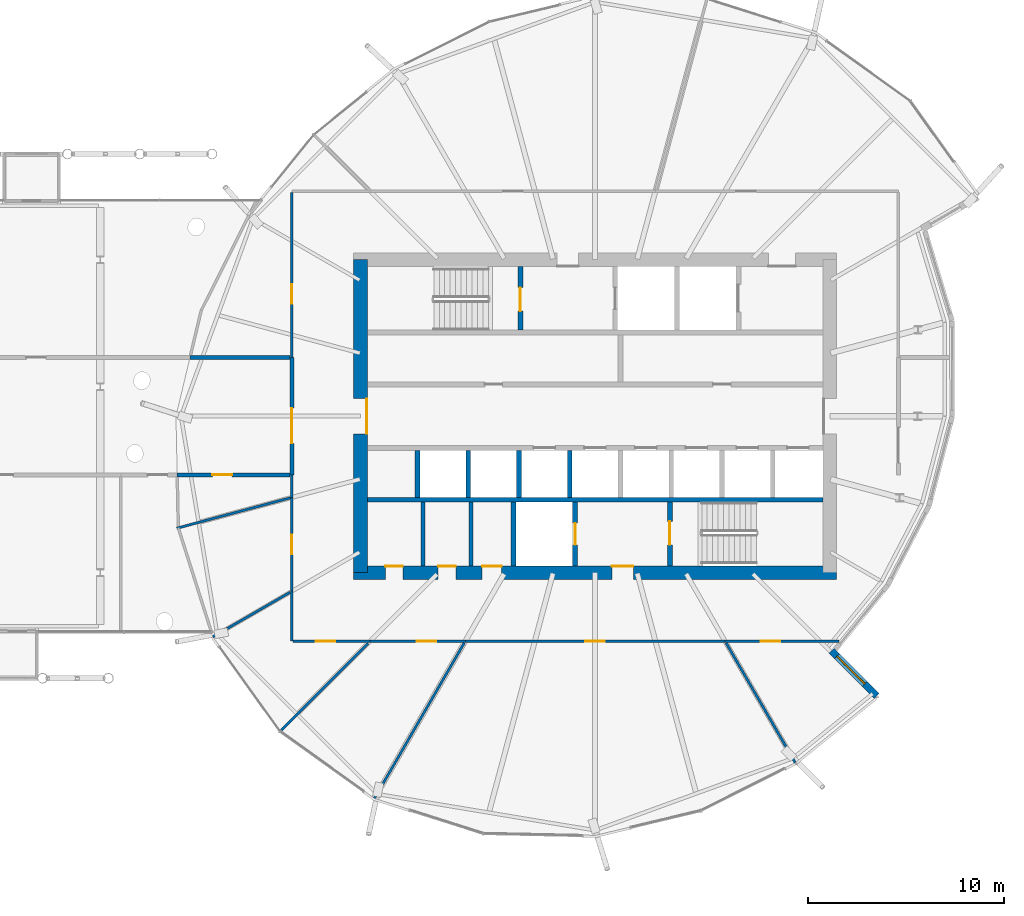
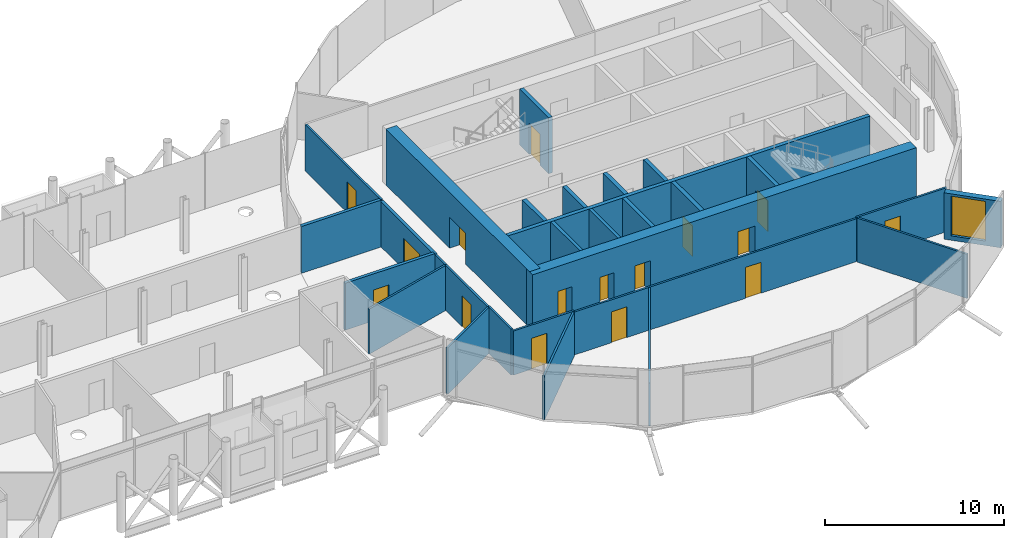
# One storey, part 27 of 40: 30 walls, 16 doors, 1 window, 17 openings.
"""IFC4 building model written with IfcOpenShell, lengths in metres."""

import ifcopenshell
import ifcopenshell.guid

model = None  # the IFC model being written
_history = None  # IfcOwnerHistory: only IFC2X3 demands one
_inside = {}  # id of a spatial element -> (the spatial element, [elements in it])
_under = {}  # id of a project, library or spatial element -> (it, [spatial elements below it])
_declared = {}  # id of a project -> (the project, [libraries it declares])
_typed = {}  # id of a type object -> (the type object, [elements of that type])
_made_of = {}  # id of a material, layer set ... -> (it, [elements and type objects made of it])


def new_model(schema):
    """Start an empty IFC model of exactly this schema.

    Asked for "IFC4X3", IfcOpenShell would pick the latest addendum, in which some entities
    have other attributes; the version numbers below select the first issue.
    IFC2X3 requires an IfcOwnerHistory on every rooted entity: one is made here for all.
    """
    global model, _history
    if schema == "IFC4X3":
        model = ifcopenshell.file(schema_version=(4, 3, 0, 0))
    else:
        model = ifcopenshell.file(schema=schema)
    _inside.clear()
    _under.clear()
    _declared.clear()
    _typed.clear()
    _made_of.clear()
    _history = None
    if model.schema == "IFC2X3":
        org = make("IfcOrganization", Name="unknown")
        user = make(
            "IfcPersonAndOrganization",
            ThePerson=make("IfcPerson", FamilyName="unknown"),
            TheOrganization=org,
        )
        app = make(
            "IfcApplication",
            ApplicationDeveloper=org,
            Version="unknown",
            ApplicationFullName="unknown",
            ApplicationIdentifier="unknown",
        )
        _history = make(
            "IfcOwnerHistory",
            OwningUser=user,
            OwningApplication=app,
            ChangeAction="ADDED",
            CreationDate=0,
        )
    return model


def make(cls, **values):
    """One entity of the class cls with the attributes given. An attribute that is None is left unset."""
    return model.create_entity(
        cls, **{name: value for name, value in values.items() if value is not None}
    )


def rooted(cls, **values):
    """An entity with a GlobalId (a new one), such as an element, a storey or a relation."""
    return make(cls, GlobalId=ifcopenshell.guid.new(), OwnerHistory=_history, **values)


def si_unit(unit_type, name, prefix=None):
    """IfcSIUnit, for example si_unit("LENGTHUNIT", "METRE", prefix="MILLI")."""
    return make("IfcSIUnit", UnitType=unit_type, Prefix=prefix, Name=name)


def assignment(units):
    """IfcUnitAssignment: the units of a project."""
    return None if units is None else make("IfcUnitAssignment", Units=units)


def point(xyz):
    """IfcCartesianPoint."""
    return None if xyz is None else make("IfcCartesianPoint", Coordinates=xyz)


def direction(xyz):
    """IfcDirection."""
    return None if xyz is None else make("IfcDirection", DirectionRatios=xyz)


def frame(location, z_axis=None, x_axis=None):
    """IfcAxis2Placement3D, a coordinate frame: its origin and axes. An axis left out is left unset."""
    return make(
        "IfcAxis2Placement3D",
        Location=point(location),
        Axis=direction(z_axis),
        RefDirection=direction(x_axis),
    )


def frame_2d(location, x_axis=None):
    """IfcAxis2Placement2D, a coordinate frame in the plane: its origin and x axis."""
    return make(
        "IfcAxis2Placement2D", Location=point(location), RefDirection=direction(x_axis)
    )


def origin():
    """The frame at (0, 0, 0) with its axes left unset."""
    return frame((0.0, 0.0, 0.0))


def place(relative_to, where):
    """IfcLocalPlacement: puts the frame where relative to a parent placement (None: the world)."""
    return make(
        "IfcLocalPlacement", PlacementRelTo=relative_to, RelativePlacement=where
    )


def context(
    kind, dimensions, precision=None, world=None, true_north=None, identifier=None
):
    """IfcGeometricRepresentationContext, for example the 3D "Model" context."""
    return make(
        "IfcGeometricRepresentationContext",
        ContextIdentifier=identifier,
        ContextType=kind,
        CoordinateSpaceDimension=dimensions,
        Precision=precision,
        WorldCoordinateSystem=world,
        TrueNorth=true_north,
    )


def subcontext(parent, identifier, kind, view, scale=None):
    """IfcGeometricRepresentationSubContext, for example "Body" below "Model"."""
    return make(
        "IfcGeometricRepresentationSubContext",
        ContextIdentifier=identifier,
        ContextType=kind,
        ParentContext=parent,
        TargetScale=scale,
        TargetView=view,
    )


def project(units=None, contexts=None):
    """IfcProject with its units and contexts."""
    return rooted(
        "IfcProject",
        Name="project",
        RepresentationContexts=contexts,
        UnitsInContext=assignment(units),
    )


def spatial(cls, under=None, at=None, **own):
    """A site, building, storey or space (cls), placed at a placement, below another one or the project."""
    s = rooted(cls, ObjectPlacement=at, **own)
    if under is not None:
        _under.setdefault(under.id(), (under, []))[1].append(s)
    return s


def profile(cls, at=None, kind="AREA", **sizes):
    """A parametric profile (cls). Its sizes go by their IFC names, for example OverallWidth=200.0."""
    return make(cls, ProfileType=kind, Position=at, **sizes)


def rectangle(**sizes):
    """IfcRectangleProfileDef."""
    return profile("IfcRectangleProfileDef", **sizes)


def extrude(swept, where, along, depth):
    """IfcExtrudedAreaSolid: the profile swept, set in the frame where, extruded along a direction by depth."""
    return make(
        "IfcExtrudedAreaSolid",
        SweptArea=swept,
        Position=where,
        ExtrudedDirection=direction(along),
        Depth=depth,
    )


def shape(context_of_items, identifier, shape_type, items):
    """IfcShapeRepresentation: the items that make up one representation, for example the "Body"."""
    return make(
        "IfcShapeRepresentation",
        ContextOfItems=context_of_items,
        RepresentationIdentifier=identifier,
        RepresentationType=shape_type,
        Items=items,
    )


def material(Name=None, Category=None):
    """IfcMaterial."""
    return make("IfcMaterial", Name=Name, Category=Category)


def layer(
    of_material, thickness, ventilated=None, Name=None, Category=None, Priority=None
):
    """IfcMaterialLayer: one layer of a wall or slab, of a material (None: an air gap)."""
    return make(
        "IfcMaterialLayer",
        Material=of_material,
        LayerThickness=thickness,
        IsVentilated=ventilated,
        Name=Name,
        Category=Category,
        Priority=Priority,
    )


def layer_set(layers, Name=None):
    """IfcMaterialLayerSet."""
    return make("IfcMaterialLayerSet", MaterialLayers=layers, LayerSetName=Name)


def made_of(thing, what):
    """Note that an element or type object is made of a material, layer set ...; save() writes the relation."""
    if what is not None:
        _made_of.setdefault(what.id(), (what, []))[1].append(thing)
    return thing


def type_object(cls, material=None, **own):
    """A type object (cls), such as IfcWallType, which elements share."""
    return made_of(rooted(cls, **own), material)


def element(
    cls,
    number,
    at=None,
    inside=None,
    cuts=None,
    type_object=None,
    material=None,
    context=None,
    identifier="Body",
    shape_type=None,
    held_by="IfcProductDefinitionShape",
    body=None,
    shapes=None,
    **own,
):
    """One element of the class cls, such as IfcWall. Its Tag is "e" and its number.

    at: its placement. inside: the storey or other place that contains it. cuts: it is an
    opening in that element (IfcRelVoidsElement). A single representation is given by context,
    identifier, shape_type and body (its items); several are given by shapes. held_by: the class
    of the entity that holds the representations. save() writes the other relations.
    """
    e = rooted(cls, Tag="e%d" % number, ObjectPlacement=at, **own)
    if body is not None:
        shapes = [shape(context, identifier, shape_type, body)]
    if shapes is not None:
        e.Representation = make(held_by, Representations=shapes)
    if inside is not None:
        _inside.setdefault(inside.id(), (inside, []))[1].append(e)
    if cuts is not None:
        rooted(
            "IfcRelVoidsElement", RelatingBuildingElement=cuts, RelatedOpeningElement=e
        )
    if type_object is not None:
        _typed.setdefault(type_object.id(), (type_object, []))[1].append(e)
    return made_of(e, material)


def fill(opening, filler):
    """IfcRelFillsElement: the door or window that sits in an opening."""
    return rooted(
        "IfcRelFillsElement",
        RelatingOpeningElement=opening,
        RelatedBuildingElement=filler,
    )


def aggregate(whole, parts):
    """IfcRelAggregates: a whole, such as a stair, and the parts it consists of."""
    return rooted("IfcRelAggregates", RelatingObject=whole, RelatedObjects=parts)


def save(model, path):
    """Write the relations noted so far, then the file.

    IfcRelAggregates (storeys below a building ...), IfcRelContainedInSpatialStructure (elements
    in a storey), IfcRelDefinesByType, IfcRelAssociatesMaterial and IfcRelDeclares: one each for
    every whole, place, type object, material and project.
    """
    for whole, parts in _under.values():
        aggregate(whole, parts)
    for where, things in _inside.values():
        rooted(
            "IfcRelContainedInSpatialStructure",
            RelatedElements=things,
            RelatingStructure=where,
        )
    for kind, things in _typed.values():
        rooted("IfcRelDefinesByType", RelatedObjects=things, RelatingType=kind)
    for what, things in _made_of.values():
        rooted("IfcRelAssociatesMaterial", RelatedObjects=things, RelatingMaterial=what)
    for by, libraries in _declared.values():
        rooted("IfcRelDeclares", RelatingContext=by, RelatedDefinitions=libraries)
    model.write(path)


model = new_model("IFC4")

# Units and contexts
model_context = context("Model", 3, precision=1e-05, world=origin(), true_north=direction((0.0, 1.0)))
body_context = subcontext(model_context, "Body", "Model", "MODEL_VIEW")
ifc_project = project(units=[si_unit("LENGTHUNIT", "METRE"), si_unit("AREAUNIT", "SQUARE_METRE"), si_unit("VOLUMEUNIT", "CUBIC_METRE"), si_unit("PLANEANGLEUNIT", "RADIAN"), si_unit("MASSUNIT", "GRAM", prefix="KILO")], contexts=[model_context])

# Site, building, storey
site_placement = place(None, origin())
site = spatial("IfcSite", under=ifc_project, at=site_placement, CompositionType="ELEMENT")
building_placement = place(site_placement, origin())
building = spatial("IfcBuilding", under=site, at=building_placement, Name="Rimbun Link Towers", CompositionType="ELEMENT")
storey_placement = place(building_placement, frame((0.0, 0.0, 150.60009765625)))
storey = spatial("IfcBuildingStorey", under=building, at=storey_placement, Name="L36", CompositionType="ELEMENT", Elevation=150.60009765625)

# Wall, opening, window
ifc_material_1 = material(Name="Dark enamelled glass spandrel on insulated aluminium backpan", Category="aluminium")
ifc_layer_1 = layer(ifc_material_1, 0.3701171875)
ifc_layer_set_1 = layer_set([ifc_layer_1], Name="CS dark enamelled spandrel wall 370")
wall_type_1 = type_object("IfcWallType", Name="CS dark enamelled spandrel wall 370", PredefinedType="STANDARD", material=ifc_layer_set_1)
wall_1_placement = place(storey_placement, frame((43.827880859375, -11.98583984375, 0.0), z_axis=(0.0, 0.0, 1.0), x_axis=(0.707106781187, -0.707106781187, 0.0)))
wall_1 = element("IfcWall", 1, at=wall_1_placement, inside=storey, type_object=wall_type_1, Name="Crease spandrel wall", PredefinedType="STANDARD", context=body_context, shape_type="SweptSolid", body=[
    extrude(rectangle(XDim=3.280029296875, YDim=0.3701171875, at=frame_2d((1.64013671875, 0.0))), origin(), (0.0, 0.0, 1.0), 3.156494140625),
])
opening_1_placement = place(wall_1_placement, frame((0.404296875, 0.0, 0.300048828125)))
opening_1 = element("IfcOpeningElement", 2, at=opening_1_placement, cuts=wall_1, Name="Opening WR20H270", PredefinedType="OPENING", context=body_context, shape_type="SweptSolid", body=[
    extrude(rectangle(XDim=2.0, YDim=2.699951171875, at=frame_2d((1.0, 1.35009765625))), frame((0.0, 0.195068359375, 0.0), z_axis=(0.0, -1.0, 0.0), x_axis=(1.0, 0.0, 0.0)), (0.0, 0.0, 1.0), 0.39013671875),
])
ifc_material_2 = material(Name="Aluminium framed fixed window, dark tinted low-e glass", Category="aluminium")
window_type = type_object("IfcWindowType", Name="WR ribbon window 2000X2700", PartitioningType="SINGLE_PANEL", PredefinedType="WINDOW", material=ifc_material_2)
window_placement = place(opening_1_placement, origin())
window = element("IfcWindow", 3, at=window_placement, inside=storey, type_object=window_type, Name="Crease ribbon window", OverallHeight=2.699951171875, OverallWidth=2.0, PartitioningType="SINGLE_PANEL", PredefinedType="WINDOW", context=body_context, shape_type="SweptSolid", body=[
    extrude(rectangle(XDim=2.0, YDim=2.699951171875, at=frame_2d((1.0, 1.35009765625))), frame((0.0, 0.030029296875, 0.0), z_axis=(0.0, -1.0, 0.0), x_axis=(1.0, 0.0, 0.0)), (0.0, 0.0, 1.0), 0.06005859375),
])
fill(opening_1, window)

# Walls
ifc_material_3 = material(Name="Masonry blockwork", Category="masonry")
ifc_layer_2 = layer(ifc_material_3, 0.199951171875)
ifc_layer_set_2 = layer_set([ifc_layer_2], Name="Core partition 200")
wall_type_2 = type_object("IfcWallType", Name="Core partition 200", PredefinedType="PARTITIONING", material=ifc_layer_set_2)
for number, where, z_axis, x_axis, name in (
    (4, (22.949951171875, -4.39990234375, 0.0), (0.0, 0.0, 1.0), (0.0, -1.0, 0.0), "L36 T2 core wall C1"),
    (5, (25.39990234375, -4.39990234375, 0.0), (0.0, 0.0, 1.0), (0.0, -1.0, 0.0), "L36 T2 core wall C2"),
):
    element("IfcWall", number, at=place(storey_placement, frame(where, z_axis=z_axis, x_axis=x_axis)), inside=storey, type_object=wall_type_2, Name=name, PredefinedType="PARTITIONING", context=body_context, shape_type="SweptSolid", body=[
        extrude(rectangle(XDim=3.25, YDim=0.199951171875, at=frame_2d((1.625, 0.0))), origin(), (0.0, 0.0, 1.0), 3.7998046875),
    ])

# Wall, openings, doors
ifc_material_4 = material(Name="Concrete C60/75", Category="concrete")
ifc_layer_3 = layer(ifc_material_4, 0.699951171875)
ifc_layer_set_3 = layer_set([ifc_layer_3], Name="Core shear wall 700")
wall_type_3 = type_object("IfcWallType", Name="Core shear wall 700", PredefinedType="SHEAR", material=ifc_layer_set_3)
wall_2_placement = place(storey_placement, frame((19.39990234375, -8.0, 0.0), z_axis=(0.0, 0.0, 1.0), x_axis=(1.0, 0.0, 0.0)))
wall_2 = element("IfcWall", 6, at=wall_2_placement, inside=storey, type_object=wall_type_3, Name="L36 T2 core wall S", PredefinedType="SHEAR", context=body_context, shape_type="SweptSolid", body=[
    extrude(rectangle(XDim=24.7001953125, YDim=0.699951171875, at=frame_2d((12.35009765625, 0.0))), origin(), (0.0, 0.0, 1.0), 3.7998046875),
])
opening_2_placement = place(wall_2_placement, frame((13.199951171875, 0.0, 0.0)))
opening_2 = element("IfcOpeningElement", 7, at=opening_2_placement, cuts=wall_2, Name="Opening C2DCF01S", PredefinedType="OPENING", context=body_context, shape_type="SweptSolid", body=[
    extrude(rectangle(XDim=1.10009765625, YDim=2.10009765625, at=frame_2d((0.550048828125, 1.050048828125))), frame((0.0, 0.35986328125, 0.0), z_axis=(0.0, -1.0, 0.0), x_axis=(1.0, 0.0, 0.0)), (0.0, 0.0, 1.0), 0.719970703125),
])
opening_3_placement = place(wall_2_placement, frame((1.625, 0.0, 0.0)))
opening_3 = element("IfcOpeningElement", 8, at=opening_3_placement, cuts=wall_2, Name="Opening C2DWC02S", PredefinedType="OPENING", context=body_context, shape_type="SweptSolid", body=[
    extrude(rectangle(XDim=0.89990234375, YDim=2.10009765625, at=frame_2d((0.449951171875, 1.050048828125))), frame((0.0, 0.35986328125, 0.0), z_axis=(0.0, -1.0, 0.0), x_axis=(1.0, 0.0, 0.0)), (0.0, 0.0, 1.0), 0.719970703125),
])
opening_4_placement = place(wall_2_placement, frame((4.324951171875, 0.0, 0.0)))
opening_4 = element("IfcOpeningElement", 9, at=opening_4_placement, cuts=wall_2, Name="Opening C2DWC03S", PredefinedType="OPENING", context=body_context, shape_type="SweptSolid", body=[
    extrude(rectangle(XDim=0.89990234375, YDim=2.10009765625, at=frame_2d((0.449951171875, 1.050048828125))), frame((0.0, 0.35986328125, 0.0), z_axis=(0.0, -1.0, 0.0), x_axis=(1.0, 0.0, 0.0)), (0.0, 0.0, 1.0), 0.719970703125),
])
opening_5_placement = place(wall_2_placement, frame((6.574951171875, 0.0, 0.0)))
opening_5 = element("IfcOpeningElement", 10, at=opening_5_placement, cuts=wall_2, Name="Opening C2DAW04S", PredefinedType="OPENING", context=body_context, shape_type="SweptSolid", body=[
    extrude(rectangle(XDim=1.0, YDim=2.10009765625, at=frame_2d((0.5, 1.050048828125))), frame((0.0, 0.35986328125, 0.0), z_axis=(0.0, -1.0, 0.0), x_axis=(1.0, 0.0, 0.0)), (0.0, 0.0, 1.0), 0.719970703125),
])
ifc_material_5 = material(Name="Timber", Category="wood")
door_type_1 = type_object("IfcDoorType", Name="Accessible WC door", OperationType="SINGLE_SWING_LEFT", PredefinedType="DOOR", material=ifc_material_5)
door_1_placement = place(opening_5_placement, origin())
door_1 = element("IfcDoor", 11, at=door_1_placement, inside=storey, type_object=door_type_1, Name="L36 T2 accessible wc door", OperationType="SINGLE_SWING_RIGHT", OverallHeight=2.10009765625, OverallWidth=1.0, PredefinedType="DOOR", context=body_context, shape_type="SweptSolid", body=[
    extrude(rectangle(XDim=1.0, YDim=2.10009765625, at=frame_2d((0.5, 1.050048828125))), frame((0.0, 0.35009765625, 0.0), z_axis=(0.0, -1.0, 0.0), x_axis=(1.0, 0.0, 0.0)), (0.0, 0.0, 1.0), 0.050048828125),
])
fill(opening_5, door_1)
ifc_material_6 = material(Name="Steel fire door set", Category="steel")
door_type_2 = type_object("IfcDoorType", Name="Core fire door single", OperationType="SINGLE_SWING_LEFT", PredefinedType="DOOR", material=ifc_material_6)
door_2_placement = place(opening_2_placement, origin())
door_2 = element("IfcDoor", 12, at=door_2_placement, inside=storey, type_object=door_type_2, Name="L36 T2 firefighting lobby s door", OperationType="SINGLE_SWING_RIGHT", OverallHeight=2.10009765625, OverallWidth=1.10009765625, PredefinedType="DOOR", context=body_context, shape_type="SweptSolid", body=[
    extrude(rectangle(XDim=1.10009765625, YDim=2.10009765625, at=frame_2d((0.550048828125, 1.050048828125))), frame((0.0, 0.35009765625, 0.0), z_axis=(0.0, -1.0, 0.0), x_axis=(1.0, 0.0, 0.0)), (0.0, 0.0, 1.0), 0.050048828125),
])
fill(opening_2, door_2)
ifc_material_7 = material(Name="Timber", Category="wood")
door_type_3 = type_object("IfcDoorType", Name="WC door", OperationType="SINGLE_SWING_LEFT", PredefinedType="DOOR", material=ifc_material_7)
door_3_placement = place(opening_3_placement, origin())
door_3 = element("IfcDoor", 13, at=door_3_placement, inside=storey, type_object=door_type_3, Name="L36 T2 male wc door", OperationType="SINGLE_SWING_RIGHT", OverallHeight=2.10009765625, OverallWidth=0.89990234375, PredefinedType="DOOR", context=body_context, shape_type="SweptSolid", body=[
    extrude(rectangle(XDim=0.89990234375, YDim=2.10009765625, at=frame_2d((0.449951171875, 1.050048828125))), frame((0.0, 0.35009765625, 0.0), z_axis=(0.0, -1.0, 0.0), x_axis=(1.0, 0.0, 0.0)), (0.0, 0.0, 1.0), 0.050048828125),
])
fill(opening_3, door_3)
door_4_placement = place(opening_4_placement, origin())
door_4 = element("IfcDoor", 14, at=door_4_placement, inside=storey, type_object=door_type_3, Name="L36 T2 female wc door", OperationType="SINGLE_SWING_RIGHT", OverallHeight=2.10009765625, OverallWidth=0.89990234375, PredefinedType="DOOR", context=body_context, shape_type="SweptSolid", body=[
    extrude(rectangle(XDim=0.89990234375, YDim=2.10009765625, at=frame_2d((0.449951171875, 1.050048828125))), frame((0.0, 0.35009765625, 0.0), z_axis=(0.0, -1.0, 0.0), x_axis=(1.0, 0.0, 0.0)), (0.0, 0.0, 1.0), 0.050048828125),
])
fill(opening_4, door_4)

# Wall, opening, door
wall_3_placement = place(storey_placement, frame((19.75, -8.0, 0.0), z_axis=(0.0, 0.0, 1.0), x_axis=(0.0, 1.0, 0.0)))
wall_3 = element("IfcWall", 15, at=wall_3_placement, inside=storey, type_object=wall_type_3, Name="L36 T2 core wall W", PredefinedType="SHEAR", context=body_context, shape_type="SweptSolid", body=[
    extrude(rectangle(XDim=16.0, YDim=0.699951171875, at=frame_2d((8.0, 0.0))), origin(), (0.0, 0.0, 1.0), 3.7998046875),
])
opening_6_placement = place(wall_3_placement, frame((7.10009765625, 0.0, 0.0)))
opening_6 = element("IfcOpeningElement", 16, at=opening_6_placement, cuts=wall_3, Name="Opening C2DCL01W", PredefinedType="OPENING", context=body_context, shape_type="SweptSolid", body=[
    extrude(rectangle(XDim=1.800048828125, YDim=2.10009765625, at=frame_2d((0.89990234375, 1.050048828125))), frame((0.0, 0.35986328125, 0.0), z_axis=(0.0, -1.0, 0.0), x_axis=(1.0, 0.0, 0.0)), (0.0, 0.0, 1.0), 0.719970703125),
])
ifc_material_8 = material(Name="Steel fire door set", Category="steel")
door_type_4 = type_object("IfcDoorType", Name="Core lobby door double", OperationType="DOUBLE_DOOR_SINGLE_SWING", PredefinedType="DOOR", material=ifc_material_8)
door_5_placement = place(opening_6_placement, origin())
door_5 = element("IfcDoor", 17, at=door_5_placement, inside=storey, type_object=door_type_4, Name="L36 T2 lift lobby door", OperationType="DOUBLE_DOOR_SINGLE_SWING", OverallHeight=2.10009765625, OverallWidth=1.800048828125, PredefinedType="DOOR", context=body_context, shape_type="SweptSolid", body=[
    extrude(rectangle(XDim=1.800048828125, YDim=2.10009765625, at=frame_2d((0.89990234375, 1.050048828125))), frame((0.0, -0.2998046875, 0.0), z_axis=(0.0, -1.0, 0.0), x_axis=(1.0, 0.0, 0.0)), (0.0, 0.0, 1.0), 0.050048828125),
])
fill(opening_6, door_5)

ifc_material_9 = material(Name="Concrete blockwork", Category="masonry")
ifc_layer_4 = layer(ifc_material_9, 0.199951171875)
ifc_layer_set_4 = layer_set([ifc_layer_4], Name="Fire partition 200 blockwork")
wall_type_4 = type_object("IfcWallType", Name="Fire partition 200 blockwork", PredefinedType="PARTITIONING", material=ifc_layer_set_4)
wall_4_placement = place(storey_placement, frame((16.25, 3.0, 0.0), z_axis=(0.0, 0.0, 1.0), x_axis=(0.0, -1.0, 0.0)))
wall_4 = element("IfcWall", 18, at=wall_4_placement, inside=storey, type_object=wall_type_4, Name="TW/PW/L36/037", PredefinedType="PARTITIONING", context=body_context, shape_type="SweptSolid", body=[
    extrude(rectangle(XDim=6.0, YDim=0.199951171875, at=frame_2d((3.0, 0.0))), origin(), (0.0, 0.0, 1.0), 3.06689453125),
])
opening_7_placement = place(wall_4_placement, frame((2.594970703125, 0.0, 0.0)))
opening_7 = element("IfcOpeningElement", 19, at=opening_7_placement, cuts=wall_4, Name="Opening TW D36.27", PredefinedType="OPENING", context=body_context, shape_type="SweptSolid", body=[
    extrude(rectangle(XDim=1.800048828125, YDim=2.10009765625, at=frame_2d((0.89990234375, 1.050048828125))), frame((0.0, 0.10986328125, 0.0), z_axis=(0.0, -1.0, 0.0), x_axis=(1.0, 0.0, 0.0)), (0.0, 0.0, 1.0), 0.219970703125),
])
ifc_material_10 = material(Name="Steel fire door set", Category="steel")
door_type_5 = type_object("IfcDoorType", Name="Fire door double leaf 1800 x 2100", OperationType="NOTDEFINED", PredefinedType="DOOR", material=ifc_material_10)
door_6_placement = place(opening_7_placement, origin())
door_6 = element("IfcDoor", 20, at=door_6_placement, inside=storey, type_object=door_type_5, Name="TW/DR/L36/027", OperationType="DOUBLE_DOOR_SINGLE_SWING", OverallHeight=2.10009765625, OverallWidth=1.800048828125, PredefinedType="DOOR", context=body_context, shape_type="SweptSolid", body=[
    extrude(rectangle(XDim=1.800048828125, YDim=2.10009765625, at=frame_2d((0.89990234375, 1.050048828125))), frame((0.0, 0.02490234375, 0.0), z_axis=(0.0, -1.0, 0.0), x_axis=(1.0, 0.0, 0.0)), (0.0, 0.0, 1.0), 0.050048828125),
])
fill(opening_7, door_6)

wall_5_placement = place(storey_placement, frame((10.382080078125, -3.0, 0.0), z_axis=(0.0, 0.0, 1.0), x_axis=(1.0, 0.0, 0.0)))
wall_5 = element("IfcWall", 21, at=wall_5_placement, inside=storey, type_object=wall_type_4, Name="TW/PW/L36/051", PredefinedType="PARTITIONING", context=body_context, shape_type="SweptSolid", body=[
    extrude(rectangle(XDim=5.767822265625, YDim=0.199951171875, at=frame_2d((2.8837890625, 0.0))), origin(), (0.0, 0.0, 1.0), 3.19384765625),
])
opening_8_placement = place(wall_5_placement, frame((1.803955078125, 0.0, 0.0)))
opening_8 = element("IfcOpeningElement", 22, at=opening_8_placement, cuts=wall_5, Name="Opening TW D36.17", PredefinedType="OPENING", context=body_context, shape_type="SweptSolid", body=[
    extrude(rectangle(XDim=1.0, YDim=2.10009765625, at=frame_2d((0.5, 1.050048828125))), frame((0.0, 0.10986328125, 0.0), z_axis=(0.0, -1.0, 0.0), x_axis=(1.0, 0.0, 0.0)), (0.0, 0.0, 1.0), 0.219970703125),
])
ifc_material_11 = material(Name="Steel fire door set", Category="steel")
door_type_6 = type_object("IfcDoorType", Name="Fire door single leaf 1000 x 2100", OperationType="NOTDEFINED", PredefinedType="DOOR", material=ifc_material_11)
door_7_placement = place(opening_8_placement, origin())
door_7 = element("IfcDoor", 23, at=door_7_placement, inside=storey, type_object=door_type_6, Name="TW/DR/L36/017", OperationType="SINGLE_SWING_RIGHT", OverallHeight=2.10009765625, OverallWidth=1.0, PredefinedType="DOOR", context=body_context, shape_type="SweptSolid", body=[
    extrude(rectangle(XDim=1.0, YDim=2.10009765625, at=frame_2d((0.5, 1.050048828125))), frame((0.0, 0.02490234375, 0.0), z_axis=(0.0, -1.0, 0.0), x_axis=(1.0, 0.0, 0.0)), (0.0, 0.0, 1.0), 0.050048828125),
])
fill(opening_8, door_7)

# Wall
wall_6_placement = place(storey_placement, frame((16.14990234375, 3.0, 0.0), z_axis=(0.0, 0.0, 1.0), x_axis=(-1.0, 0.0, 0.0)))
element("IfcWall", 24, at=wall_6_placement, inside=storey, type_object=wall_type_4, Name="TW/PW/L36/052", PredefinedType="PARTITIONING", context=body_context, shape_type="SweptSolid", body=[
    extrude(rectangle(XDim=5.11376953125, YDim=0.199951171875, at=frame_2d((2.556884765625, 0.0))), origin(), (0.0, 0.0, 1.0), 3.19384765625),
])

# Wall, opening, door
ifc_material_12 = material(Name="Gypsum board on steel studs", Category="steel")
ifc_layer_5 = layer(ifc_material_12, 0.125)
ifc_layer_set_5 = layer_set([ifc_layer_5], Name="Partition 125 board on studs")
wall_type_5 = type_object("IfcWallType", Name="Partition 125 board on studs", PredefinedType="PARTITIONING", material=ifc_layer_set_5)
wall_7_placement = place(storey_placement, frame((16.25, -4.1533203125, 0.0), z_axis=(0.0, 0.0, 1.0), x_axis=(0.0, -1.0, 0.0)))
wall_7 = element("IfcWall", 25, at=wall_7_placement, inside=storey, type_object=wall_type_5, Name="TW/PW/L36/038", PredefinedType="PARTITIONING", context=body_context, shape_type="SweptSolid", body=[
    extrude(rectangle(XDim=4.795654296875, YDim=0.125, at=frame_2d((2.39794921875, 0.0))), origin(), (0.0, 0.0, 1.0), 3.06689453125),
])
opening_9_placement = place(wall_7_placement, frame((1.89794921875, 0.0, 0.0)))
opening_9 = element("IfcOpeningElement", 26, at=opening_9_placement, cuts=wall_7, Name="Opening TW D36.10", PredefinedType="OPENING", context=body_context, shape_type="SweptSolid", body=[
    extrude(rectangle(XDim=1.0, YDim=2.10009765625, at=frame_2d((0.5, 1.050048828125))), frame((0.0, 0.072509765625, 0.0), z_axis=(0.0, -1.0, 0.0), x_axis=(1.0, 0.0, 0.0)), (0.0, 0.0, 1.0), 0.14501953125),
])
ifc_material_13 = material(Name="Timber door set", Category="wood")
door_type_7 = type_object("IfcDoorType", Name="Door single leaf 1000 x 2100", OperationType="NOTDEFINED", PredefinedType="DOOR", material=ifc_material_13)
door_8_placement = place(opening_9_placement, origin())
door_8 = element("IfcDoor", 27, at=door_8_placement, inside=storey, type_object=door_type_7, Name="TW/DR/L36/010", OperationType="SINGLE_SWING_LEFT", OverallHeight=2.10009765625, OverallWidth=1.0, PredefinedType="DOOR", context=body_context, shape_type="SweptSolid", body=[
    extrude(rectangle(XDim=1.0, YDim=2.10009765625, at=frame_2d((0.5, 1.050048828125))), frame((0.0, 0.02490234375, 0.0), z_axis=(0.0, -1.0, 0.0), x_axis=(1.0, 0.0, 0.0)), (0.0, 0.0, 1.0), 0.050048828125),
])
fill(opening_9, door_8)

# Wall
wall_8_placement = place(storey_placement, frame((16.25, -8.948974609375, 0.0), z_axis=(0.0, 0.0, 1.0), x_axis=(0.0, -1.0, 0.0)))
element("IfcWall", 28, at=wall_8_placement, inside=storey, type_object=wall_type_5, Name="TW/PW/L36/039", PredefinedType="PARTITIONING", context=body_context, shape_type="SweptSolid", body=[
    extrude(rectangle(XDim=2.551025390625, YDim=0.125, at=frame_2d((1.275390625, 0.0))), origin(), (0.0, 0.0, 1.0), 3.14697265625),
])

# Wall, opening, door
wall_9_placement = place(storey_placement, frame((16.3125, -11.5, 0.0), z_axis=(0.0, 0.0, 1.0), x_axis=(1.0, 0.0, 0.0)))
wall_9 = element("IfcWall", 29, at=wall_9_placement, inside=storey, type_object=wall_type_5, Name="TW/PW/L36/040", PredefinedType="PARTITIONING", context=body_context, shape_type="SweptSolid", body=[
    extrude(rectangle(XDim=3.9375, YDim=0.125, at=frame_2d((1.96875, 0.0))), origin(), (0.0, 0.0, 1.0), 2.996826171875),
])
opening_10_placement = place(wall_9_placement, frame((1.1630859375, 0.0, 0.0)))
opening_10 = element("IfcOpeningElement", 30, at=opening_10_placement, cuts=wall_9, Name="Opening TW D36.11", PredefinedType="OPENING", context=body_context, shape_type="SweptSolid", body=[
    extrude(rectangle(XDim=1.0, YDim=2.10009765625, at=frame_2d((0.5, 1.050048828125))), frame((0.0, 0.072509765625, 0.0), z_axis=(0.0, -1.0, 0.0), x_axis=(1.0, 0.0, 0.0)), (0.0, 0.0, 1.0), 0.14501953125),
])
door_9_placement = place(opening_10_placement, origin())
door_9 = element("IfcDoor", 31, at=door_9_placement, inside=storey, type_object=door_type_7, Name="TW/DR/L36/011", OperationType="SINGLE_SWING_RIGHT", OverallHeight=2.10009765625, OverallWidth=1.0, PredefinedType="DOOR", context=body_context, shape_type="SweptSolid", body=[
    extrude(rectangle(XDim=1.0, YDim=2.10009765625, at=frame_2d((0.5, 1.050048828125))), frame((0.0, 0.02490234375, 0.0), z_axis=(0.0, -1.0, 0.0), x_axis=(1.0, 0.0, 0.0)), (0.0, 0.0, 1.0), 0.050048828125),
])
fill(opening_10, door_9)

wall_10_placement = place(storey_placement, frame((20.25, -11.5, 0.0), z_axis=(0.0, 0.0, 1.0), x_axis=(1.0, 0.0, 0.0)))
wall_10 = element("IfcWall", 32, at=wall_10_placement, inside=storey, type_object=wall_type_5, Name="TW/PW/L36/041", PredefinedType="PARTITIONING", context=body_context, shape_type="SweptSolid", body=[
    extrude(rectangle(XDim=4.860595703125, YDim=0.125, at=frame_2d((2.43017578125, 0.0))), origin(), (0.0, 0.0, 1.0), 2.9169921875),
])
opening_11_placement = place(wall_10_placement, frame((2.3740234375, 0.0, 0.0)))
opening_11 = element("IfcOpeningElement", 33, at=opening_11_placement, cuts=wall_10, Name="Opening TW D36.12", PredefinedType="OPENING", context=body_context, shape_type="SweptSolid", body=[
    extrude(rectangle(XDim=1.0, YDim=2.10009765625, at=frame_2d((0.5, 1.050048828125))), frame((0.0, 0.072509765625, 0.0), z_axis=(0.0, -1.0, 0.0), x_axis=(1.0, 0.0, 0.0)), (0.0, 0.0, 1.0), 0.14501953125),
])
door_10_placement = place(opening_11_placement, origin())
door_10 = element("IfcDoor", 34, at=door_10_placement, inside=storey, type_object=door_type_7, Name="TW/DR/L36/012", OperationType="SINGLE_SWING_LEFT", OverallHeight=2.10009765625, OverallWidth=1.0, PredefinedType="DOOR", context=body_context, shape_type="SweptSolid", body=[
    extrude(rectangle(XDim=1.0, YDim=2.10009765625, at=frame_2d((0.5, 1.050048828125))), frame((0.0, 0.02490234375, 0.0), z_axis=(0.0, -1.0, 0.0), x_axis=(1.0, 0.0, 0.0)), (0.0, 0.0, 1.0), 0.050048828125),
])
fill(opening_11, door_10)

wall_11_placement = place(storey_placement, frame((25.110595703125, -11.5, 0.0), z_axis=(0.0, 0.0, 1.0), x_axis=(1.0, 0.0, 0.0)))
wall_11 = element("IfcWall", 35, at=wall_11_placement, inside=storey, type_object=wall_type_5, Name="TW/PW/L36/042", PredefinedType="PARTITIONING", context=body_context, shape_type="SweptSolid", body=[
    extrude(rectangle(XDim=13.27880859375, YDim=0.125, at=frame_2d((6.639404296875, 0.0))), origin(), (0.0, 0.0, 1.0), 2.9169921875),
])
opening_12_placement = place(wall_11_placement, frame((6.139892578125, 0.0, 0.0)))
opening_12 = element("IfcOpeningElement", 36, at=opening_12_placement, cuts=wall_11, Name="Opening TW D36.13", PredefinedType="OPENING", context=body_context, shape_type="SweptSolid", body=[
    extrude(rectangle(XDim=1.0, YDim=2.10009765625, at=frame_2d((0.5, 1.050048828125))), frame((0.0, 0.072509765625, 0.0), z_axis=(0.0, -1.0, 0.0), x_axis=(1.0, 0.0, 0.0)), (0.0, 0.0, 1.0), 0.14501953125),
])
door_11_placement = place(opening_12_placement, origin())
door_11 = element("IfcDoor", 37, at=door_11_placement, inside=storey, type_object=door_type_7, Name="TW/DR/L36/013", OperationType="SINGLE_SWING_RIGHT", OverallHeight=2.10009765625, OverallWidth=1.0, PredefinedType="DOOR", context=body_context, shape_type="SweptSolid", body=[
    extrude(rectangle(XDim=1.0, YDim=2.10009765625, at=frame_2d((0.5, 1.050048828125))), frame((0.0, 0.02490234375, 0.0), z_axis=(0.0, -1.0, 0.0), x_axis=(1.0, 0.0, 0.0)), (0.0, 0.0, 1.0), 0.050048828125),
])
fill(opening_12, door_11)

wall_12_placement = place(storey_placement, frame((38.389404296875, -11.5, 0.0), z_axis=(0.0, 0.0, 1.0), x_axis=(1.0, 0.0, 0.0)))
wall_12 = element("IfcWall", 38, at=wall_12_placement, inside=storey, type_object=wall_type_5, Name="TW/PW/L36/043", PredefinedType="PARTITIONING", context=body_context, shape_type="SweptSolid", body=[
    extrude(rectangle(XDim=5.827392578125, YDim=0.125, at=frame_2d((2.91357421875, 0.0))), origin(), (0.0, 0.0, 1.0), 2.996826171875),
])
opening_13_placement = place(wall_12_placement, frame((1.824951171875, 0.0, 0.0)))
opening_13 = element("IfcOpeningElement", 39, at=opening_13_placement, cuts=wall_12, Name="Opening TW D36.14", PredefinedType="OPENING", context=body_context, shape_type="SweptSolid", body=[
    extrude(rectangle(XDim=1.0, YDim=2.10009765625, at=frame_2d((0.5, 1.050048828125))), frame((0.0, 0.072509765625, 0.0), z_axis=(0.0, -1.0, 0.0), x_axis=(1.0, 0.0, 0.0)), (0.0, 0.0, 1.0), 0.14501953125),
])
door_12_placement = place(opening_13_placement, origin())
door_12 = element("IfcDoor", 40, at=door_12_placement, inside=storey, type_object=door_type_7, Name="TW/DR/L36/014", OperationType="SINGLE_SWING_LEFT", OverallHeight=2.10009765625, OverallWidth=1.0, PredefinedType="DOOR", context=body_context, shape_type="SweptSolid", body=[
    extrude(rectangle(XDim=1.0, YDim=2.10009765625, at=frame_2d((0.5, 1.050048828125))), frame((0.0, 0.02490234375, 0.0), z_axis=(0.0, -1.0, 0.0), x_axis=(1.0, 0.0, 0.0)), (0.0, 0.0, 1.0), 0.050048828125),
])
fill(opening_13, door_12)

# Wall
wall_13_placement = place(storey_placement, frame((16.25, -3.0, 0.0), z_axis=(0.0, 0.0, 1.0), x_axis=(0.0, -1.0, 0.0)))
element("IfcWall", 41, at=wall_13_placement, inside=storey, type_object=wall_type_5, Name="TW/PW/L36/047", PredefinedType="PARTITIONING", context=body_context, shape_type="SweptSolid", body=[
    extrude(rectangle(XDim=1.1533203125, YDim=0.125, at=frame_2d((0.57666015625, 0.0))), origin(), (0.0, 0.0, 1.0), 3.06689453125),
])

# Wall, opening, door
wall_14_placement = place(storey_placement, frame((16.25, 11.4375, 0.0), z_axis=(0.0, 0.0, 1.0), x_axis=(0.0, -1.0, 0.0)))
wall_14 = element("IfcWall", 42, at=wall_14_placement, inside=storey, type_object=wall_type_5, Name="TW/PW/L36/049", PredefinedType="PARTITIONING", context=body_context, shape_type="SweptSolid", body=[
    extrude(rectangle(XDim=8.4375, YDim=0.125, at=frame_2d((4.21875, 0.0))), origin(), (0.0, 0.0, 1.0), 3.14697265625),
])
opening_14_placement = place(wall_14_placement, frame((4.698974609375, 0.0, 0.0)))
opening_14 = element("IfcOpeningElement", 43, at=opening_14_placement, cuts=wall_14, Name="Opening TW D36.18", PredefinedType="OPENING", context=body_context, shape_type="SweptSolid", body=[
    extrude(rectangle(XDim=1.0, YDim=2.10009765625, at=frame_2d((0.5, 1.050048828125))), frame((0.0, 0.072509765625, 0.0), z_axis=(0.0, -1.0, 0.0), x_axis=(1.0, 0.0, 0.0)), (0.0, 0.0, 1.0), 0.14501953125),
])
door_13_placement = place(opening_14_placement, origin())
door_13 = element("IfcDoor", 44, at=door_13_placement, inside=storey, type_object=door_type_7, Name="TW/DR/L36/018", OperationType="SINGLE_SWING_LEFT", OverallHeight=2.10009765625, OverallWidth=1.0, PredefinedType="DOOR", context=body_context, shape_type="SweptSolid", body=[
    extrude(rectangle(XDim=1.0, YDim=2.10009765625, at=frame_2d((0.5, 1.050048828125))), frame((0.0, 0.02490234375, 0.0), z_axis=(0.0, -1.0, 0.0), x_axis=(1.0, 0.0, 0.0)), (0.0, 0.0, 1.0), 0.050048828125),
])
fill(opening_14, door_13)

# Walls
wall_15_placement = place(storey_placement, frame((12.210693359375, -11.281005859375, 0.0), z_axis=(0.0, 0.0, 1.0), x_axis=(0.866038344573, 0.499977585228, 0.0)))
element("IfcWall", 45, at=wall_15_placement, inside=storey, type_object=wall_type_5, Name="TW/PW/L36/053", PredefinedType="PARTITIONING", context=body_context, shape_type="SweptSolid", body=[
    extrude(rectangle(XDim=4.555908203125, YDim=0.125, at=frame_2d((2.27783203125, 0.0))), origin(), (0.0, 0.0, 1.0), 3.14697265625),
])
wall_16_placement = place(storey_placement, frame((16.17138671875, -4.17431640625, 0.0), z_axis=(0.0, 0.0, 1.0), x_axis=(-0.965927033719, -0.258814538872, 0.0)))
element("IfcWall", 46, at=wall_16_placement, inside=storey, type_object=wall_type_5, Name="TW/PW/L36/054", PredefinedType="PARTITIONING", context=body_context, shape_type="SweptSolid", body=[
    extrude(rectangle(XDim=6.014404296875, YDim=0.125, at=frame_2d((3.00732421875, 0.0))), origin(), (0.0, 0.0, 1.0), 3.06689453125),
])
wall_17_placement = place(storey_placement, frame((15.604248046875, -16.145751953125, 0.0), z_axis=(0.0, 0.0, 1.0), x_axis=(0.707106781187, 0.707106781187, 0.0)))
element("IfcWall", 47, at=wall_17_placement, inside=storey, type_object=wall_type_5, Name="TW/PW/L36/056", PredefinedType="PARTITIONING", context=body_context, shape_type="SweptSolid", body=[
    extrude(rectangle(XDim=6.419189453125, YDim=0.125, at=frame_2d((3.20947265625, 0.0))), origin(), (0.0, 0.0, 1.0), 2.996826171875),
])
wall_18_placement = place(storey_placement, frame((20.428955078125, -19.608642578125, 0.0), z_axis=(0.0, 0.0, 1.0), x_axis=(0.500003324108, 0.866023484601, 0.0)))
element("IfcWall", 48, at=wall_18_placement, inside=storey, type_object=wall_type_5, Name="TW/PW/L36/057", PredefinedType="PARTITIONING", context=body_context, shape_type="SweptSolid", body=[
    extrude(rectangle(XDim=9.2548828125, YDim=0.125, at=frame_2d((4.62744140625, 0.0))), origin(), (0.0, 0.0, 1.0), 2.9169921875),
])
wall_19_placement = place(storey_placement, frame((41.9775390625, -17.714599609375, 0.0), z_axis=(0.0, 0.0, 1.0), x_axis=(-0.500006513054, 0.866021643438, 0.0)))
element("IfcWall", 49, at=wall_19_placement, inside=storey, type_object=wall_type_5, Name="TW/PW/L36/058", PredefinedType="PARTITIONING", context=body_context, shape_type="SweptSolid", body=[
    extrude(rectangle(XDim=7.06787109375, YDim=0.125, at=frame_2d((3.533935546875, 0.0))), origin(), (0.0, 0.0, 1.0), 2.996826171875),
])
ifc_material_14 = material(Name="Concrete C60/75", Category="concrete")
ifc_layer_6 = layer(ifc_material_14, 0.25)
ifc_layer_set_6 = layer_set([ifc_layer_6], Name="Shaft wall 250")
wall_type_6 = type_object("IfcWallType", Name="Shaft wall 250", PredefinedType="SHEAR", material=ifc_layer_set_6)
wall_20_placement = place(storey_placement, frame((20.10009765625, -4.27490234375, 0.0), z_axis=(0.0, 0.0, 1.0), x_axis=(1.0, 0.0, 0.0)))
element("IfcWall", 50, at=wall_20_placement, inside=storey, type_object=wall_type_6, Name="L36 T2 core wall BS", PredefinedType="SHEAR", context=body_context, shape_type="SweptSolid", body=[
    extrude(rectangle(XDim=23.2998046875, YDim=0.25, at=frame_2d((11.64990234375, 0.0))), origin(), (0.0, 0.0, 1.0), 3.7998046875),
])
for number, where, z_axis, x_axis, name in (
    (51, (22.66943359375, -4.14990234375, 0.0), (0.0, 0.0, 1.0), (0.0, 1.0, 0.0), "L36 T2 core wall DS0"),
    (52, (25.263916015625, -4.14990234375, 0.0), (0.0, 0.0, 1.0), (0.0, 1.0, 0.0), "L36 T2 core wall DS1"),
    (53, (27.8583984375, -4.14990234375, 0.0), (0.0, 0.0, 1.0), (0.0, 1.0, 0.0), "L36 T2 core wall DS2"),
    (54, (30.452880859375, -4.14990234375, 0.0), (0.0, 0.0, 1.0), (0.0, 1.0, 0.0), "L36 T2 core wall DS3"),
):
    element("IfcWall", number, at=place(storey_placement, frame(where, z_axis=z_axis, x_axis=x_axis)), inside=storey, type_object=wall_type_6, Name=name, PredefinedType="SHEAR", context=body_context, shape_type="SweptSolid", body=[
        extrude(rectangle(XDim=2.39990234375, YDim=0.25, at=frame_2d((1.199951171875, 0.0))), origin(), (0.0, 0.0, 1.0), 3.7998046875),
    ])

# Wall, opening, door
wall_21_placement = place(storey_placement, frame((27.925048828125, 4.39990234375, 0.0), z_axis=(0.0, 0.0, 1.0), x_axis=(0.0, 1.0, 0.0)))
wall_21 = element("IfcWall", 55, at=wall_21_placement, inside=storey, type_object=wall_type_6, Name="L36 T2 core wall A1", PredefinedType="SHEAR", context=body_context, shape_type="SweptSolid", body=[
    extrude(rectangle(XDim=3.25, YDim=0.25, at=frame_2d((1.625, 0.0))), origin(), (0.0, 0.0, 1.0), 3.7998046875),
])
opening_15_placement = place(wall_21_placement, frame((0.97509765625, 0.0, 0.0)))
opening_15 = element("IfcOpeningElement", 56, at=opening_15_placement, cuts=wall_21, Name="Opening C2DST01A1", PredefinedType="OPENING", context=body_context, shape_type="SweptSolid", body=[
    extrude(rectangle(XDim=1.199951171875, YDim=2.10009765625, at=frame_2d((0.60009765625, 1.050048828125))), frame((0.0, 0.135009765625, 0.0), z_axis=(0.0, -1.0, 0.0), x_axis=(1.0, 0.0, 0.0)), (0.0, 0.0, 1.0), 0.27001953125),
])
ifc_material_15 = material(Name="Steel fire door set", Category="steel")
door_type_8 = type_object("IfcDoorType", Name="Stair door", OperationType="SINGLE_SWING_LEFT", PredefinedType="DOOR", material=ifc_material_15)
door_14_placement = place(opening_15_placement, origin())
door_14 = element("IfcDoor", 57, at=door_14_placement, inside=storey, type_object=door_type_8, Name="L36 T2 stair a door", OperationType="SINGLE_SWING_LEFT", OverallHeight=2.10009765625, OverallWidth=1.199951171875, PredefinedType="DOOR", context=body_context, shape_type="SweptSolid", body=[
    extrude(rectangle(XDim=1.199951171875, YDim=2.10009765625, at=frame_2d((0.60009765625, 1.050048828125))), frame((0.0, 0.02490234375, 0.0), z_axis=(0.0, -1.0, 0.0), x_axis=(1.0, 0.0, 0.0)), (0.0, 0.0, 1.0), 0.050048828125),
])
fill(opening_15, door_14)

wall_22_placement = place(storey_placement, frame((35.574951171875, -4.39990234375, 0.0), z_axis=(0.0, 0.0, 1.0), x_axis=(0.0, -1.0, 0.0)))
wall_22 = element("IfcWall", 58, at=wall_22_placement, inside=storey, type_object=wall_type_6, Name="L36 T2 core wall B1", PredefinedType="SHEAR", context=body_context, shape_type="SweptSolid", body=[
    extrude(rectangle(XDim=3.25, YDim=0.25, at=frame_2d((1.625, 0.0))), origin(), (0.0, 0.0, 1.0), 3.7998046875),
])
opening_16_placement = place(wall_22_placement, frame((0.97509765625, 0.0, 0.0)))
opening_16 = element("IfcOpeningElement", 59, at=opening_16_placement, cuts=wall_22, Name="Opening C2DST01B1", PredefinedType="OPENING", context=body_context, shape_type="SweptSolid", body=[
    extrude(rectangle(XDim=1.199951171875, YDim=2.10009765625, at=frame_2d((0.60009765625, 1.050048828125))), frame((0.0, 0.135009765625, 0.0), z_axis=(0.0, -1.0, 0.0), x_axis=(1.0, 0.0, 0.0)), (0.0, 0.0, 1.0), 0.27001953125),
])
door_15_placement = place(opening_16_placement, origin())
door_15 = element("IfcDoor", 60, at=door_15_placement, inside=storey, type_object=door_type_8, Name="L36 T2 stair b door", OperationType="SINGLE_SWING_RIGHT", OverallHeight=2.10009765625, OverallWidth=1.199951171875, PredefinedType="DOOR", context=body_context, shape_type="SweptSolid", body=[
    extrude(rectangle(XDim=1.199951171875, YDim=2.10009765625, at=frame_2d((0.60009765625, 1.050048828125))), frame((0.0, 0.02490234375, 0.0), z_axis=(0.0, -1.0, 0.0), x_axis=(1.0, 0.0, 0.0)), (0.0, 0.0, 1.0), 0.050048828125),
])
fill(opening_16, door_15)

wall_23_placement = place(storey_placement, frame((30.72509765625, -4.39990234375, 0.0), z_axis=(0.0, 0.0, 1.0), x_axis=(0.0, -1.0, 0.0)))
wall_23 = element("IfcWall", 61, at=wall_23_placement, inside=storey, type_object=wall_type_6, Name="L36 T2 core wall B2", PredefinedType="SHEAR", context=body_context, shape_type="SweptSolid", body=[
    extrude(rectangle(XDim=3.25, YDim=0.25, at=frame_2d((1.625, 0.0))), origin(), (0.0, 0.0, 1.0), 3.7998046875),
])
opening_17_placement = place(wall_23_placement, frame((1.074951171875, 0.0, 0.0)))
opening_17 = element("IfcOpeningElement", 62, at=opening_17_placement, cuts=wall_23, Name="Opening LD-T2-FF2", PredefinedType="OPENING", context=body_context, shape_type="SweptSolid", body=[
    extrude(rectangle(XDim=1.10009765625, YDim=2.10009765625, at=frame_2d((0.550048828125, 1.050048828125))), frame((0.0, 0.135009765625, 0.0), z_axis=(0.0, -1.0, 0.0), x_axis=(1.0, 0.0, 0.0)), (0.0, 0.0, 1.0), 0.27001953125),
])
ifc_material_16 = material(Name="Stainless steel grade 316", Category="steel")
door_type_9 = type_object("IfcDoorType", Name="Lift landing door", OperationType="DOUBLE_DOOR_SLIDING", PredefinedType="DOOR", material=ifc_material_16)
door_16_placement = place(opening_17_placement, origin())
door_16 = element("IfcDoor", 63, at=door_16_placement, inside=storey, type_object=door_type_9, Name="L36 T2 lift FF2 landing door", OperationType="DOUBLE_DOOR_SLIDING", OverallHeight=2.10009765625, OverallWidth=1.10009765625, PredefinedType="DOOR", context=body_context, shape_type="SweptSolid", body=[
    extrude(rectangle(XDim=1.10009765625, YDim=2.10009765625, at=frame_2d((0.550048828125, 1.050048828125))), frame((0.0, 0.02490234375, 0.0), z_axis=(0.0, -1.0, 0.0), x_axis=(1.0, 0.0, 0.0)), (0.0, 0.0, 1.0), 0.050048828125),
])
fill(opening_17, door_16)

# Wall
wall_24_placement = place(storey_placement, frame((27.574951171875, -4.39990234375, 0.0), z_axis=(0.0, 0.0, 1.0), x_axis=(0.0, -1.0, 0.0)))
element("IfcWall", 64, at=wall_24_placement, inside=storey, type_object=wall_type_6, Name="L36 T2 core wall B3", PredefinedType="SHEAR", context=body_context, shape_type="SweptSolid", body=[
    extrude(rectangle(XDim=3.25, YDim=0.25, at=frame_2d((1.625, 0.0))), origin(), (0.0, 0.0, 1.0), 3.7998046875),
])

save(model, "model.ifc")
